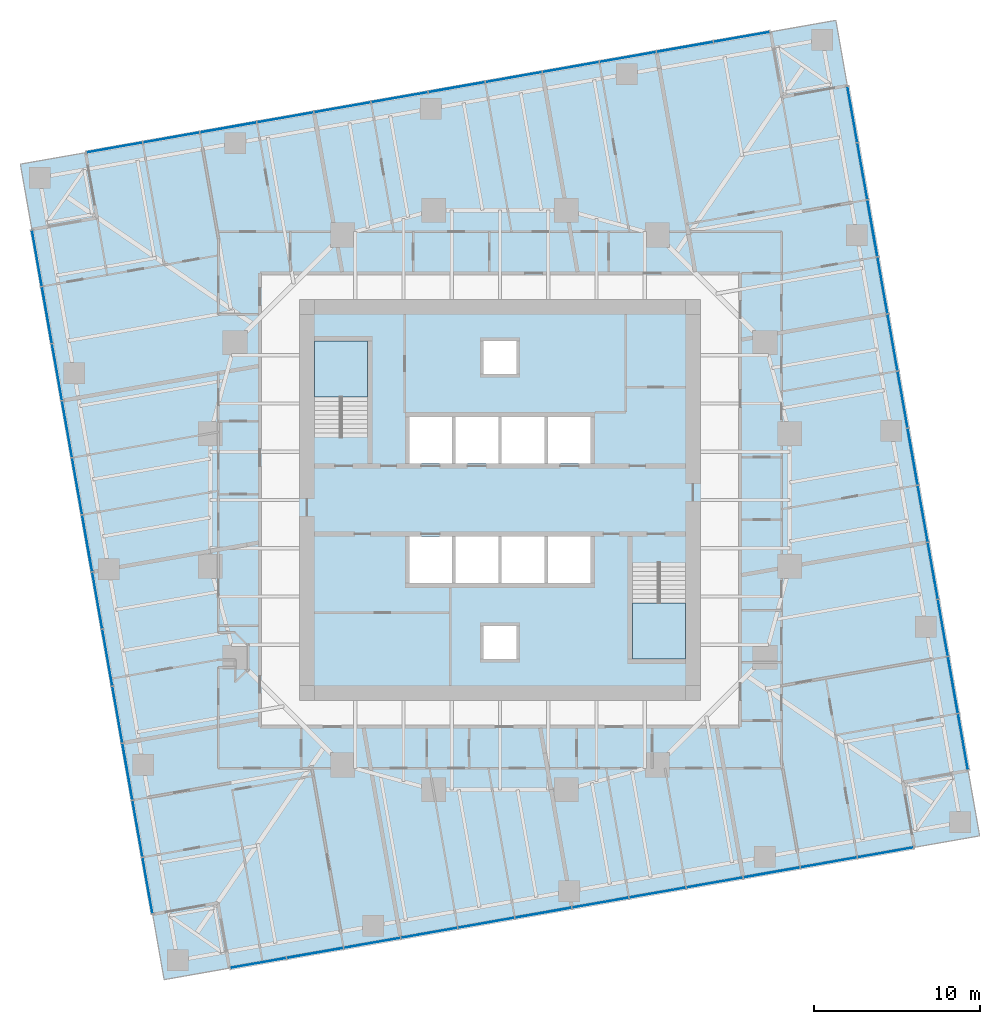
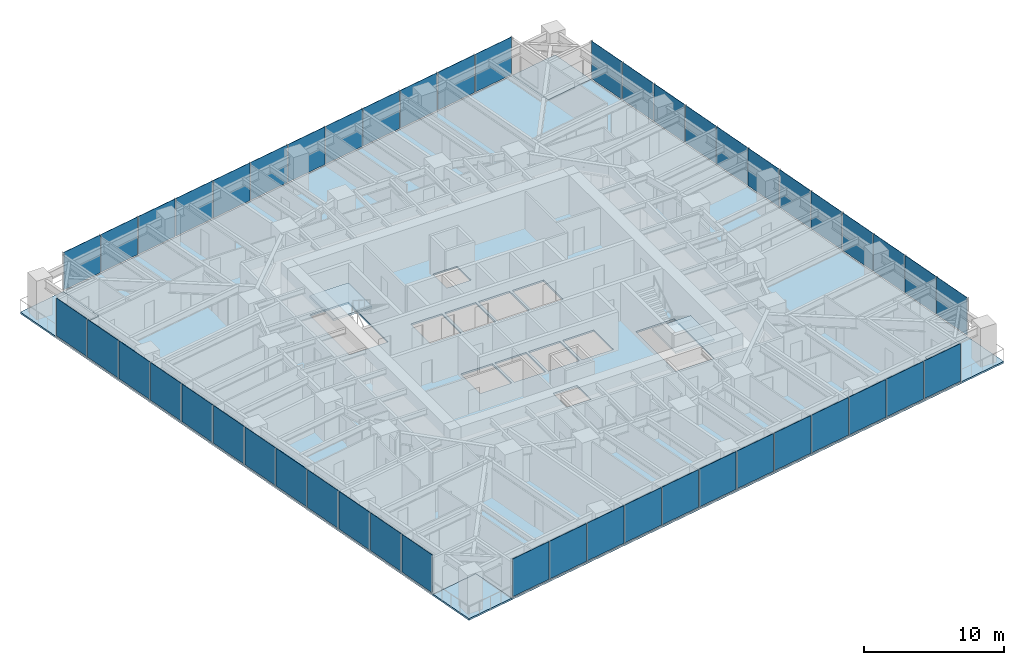
# One storey, part 7 of 14: 48 plates, 7 slabs, 6 elements without a shape of their own.
"""IFC4 building model written with IfcOpenShell, lengths in metres."""

import ifcopenshell
import ifcopenshell.guid

model = None  # the IFC model being written
_history = None  # IfcOwnerHistory: only IFC2X3 demands one
_inside = {}  # id of a spatial element -> (the spatial element, [elements in it])
_under = {}  # id of a project, library or spatial element -> (it, [spatial elements below it])
_declared = {}  # id of a project -> (the project, [libraries it declares])
_typed = {}  # id of a type object -> (the type object, [elements of that type])
_made_of = {}  # id of a material, layer set ... -> (it, [elements and type objects made of it])


def new_model(schema):
    """Start an empty IFC model of exactly this schema.

    Asked for "IFC4X3", IfcOpenShell would pick the latest addendum, in which some entities
    have other attributes; the version numbers below select the first issue.
    IFC2X3 requires an IfcOwnerHistory on every rooted entity: one is made here for all.
    """
    global model, _history
    if schema == "IFC4X3":
        model = ifcopenshell.file(schema_version=(4, 3, 0, 0))
    else:
        model = ifcopenshell.file(schema=schema)
    _inside.clear()
    _under.clear()
    _declared.clear()
    _typed.clear()
    _made_of.clear()
    _history = None
    if model.schema == "IFC2X3":
        org = make("IfcOrganization", Name="unknown")
        user = make(
            "IfcPersonAndOrganization",
            ThePerson=make("IfcPerson", FamilyName="unknown"),
            TheOrganization=org,
        )
        app = make(
            "IfcApplication",
            ApplicationDeveloper=org,
            Version="unknown",
            ApplicationFullName="unknown",
            ApplicationIdentifier="unknown",
        )
        _history = make(
            "IfcOwnerHistory",
            OwningUser=user,
            OwningApplication=app,
            ChangeAction="ADDED",
            CreationDate=0,
        )
    return model


def make(cls, **values):
    """One entity of the class cls with the attributes given. An attribute that is None is left unset."""
    return model.create_entity(
        cls, **{name: value for name, value in values.items() if value is not None}
    )


def rooted(cls, **values):
    """An entity with a GlobalId (a new one), such as an element, a storey or a relation."""
    return make(cls, GlobalId=ifcopenshell.guid.new(), OwnerHistory=_history, **values)


def si_unit(unit_type, name, prefix=None):
    """IfcSIUnit, for example si_unit("LENGTHUNIT", "METRE", prefix="MILLI")."""
    return make("IfcSIUnit", UnitType=unit_type, Prefix=prefix, Name=name)


def assignment(units):
    """IfcUnitAssignment: the units of a project."""
    return None if units is None else make("IfcUnitAssignment", Units=units)


def point(xyz):
    """IfcCartesianPoint."""
    return None if xyz is None else make("IfcCartesianPoint", Coordinates=xyz)


def direction(xyz):
    """IfcDirection."""
    return None if xyz is None else make("IfcDirection", DirectionRatios=xyz)


def frame(location, z_axis=None, x_axis=None):
    """IfcAxis2Placement3D, a coordinate frame: its origin and axes. An axis left out is left unset."""
    return make(
        "IfcAxis2Placement3D",
        Location=point(location),
        Axis=direction(z_axis),
        RefDirection=direction(x_axis),
    )


def frame_2d(location, x_axis=None):
    """IfcAxis2Placement2D, a coordinate frame in the plane: its origin and x axis."""
    return make(
        "IfcAxis2Placement2D", Location=point(location), RefDirection=direction(x_axis)
    )


def origin():
    """The frame at (0, 0, 0) with its axes left unset."""
    return frame((0.0, 0.0, 0.0))


def origin_2d():
    """The frame at (0, 0) in the plane with its x axis left unset."""
    return frame_2d((0.0, 0.0))


def place(relative_to, where):
    """IfcLocalPlacement: puts the frame where relative to a parent placement (None: the world)."""
    return make(
        "IfcLocalPlacement", PlacementRelTo=relative_to, RelativePlacement=where
    )


def context(
    kind, dimensions, precision=None, world=None, true_north=None, identifier=None
):
    """IfcGeometricRepresentationContext, for example the 3D "Model" context."""
    return make(
        "IfcGeometricRepresentationContext",
        ContextIdentifier=identifier,
        ContextType=kind,
        CoordinateSpaceDimension=dimensions,
        Precision=precision,
        WorldCoordinateSystem=world,
        TrueNorth=true_north,
    )


def subcontext(parent, identifier, kind, view, scale=None):
    """IfcGeometricRepresentationSubContext, for example "Body" below "Model"."""
    return make(
        "IfcGeometricRepresentationSubContext",
        ContextIdentifier=identifier,
        ContextType=kind,
        ParentContext=parent,
        TargetScale=scale,
        TargetView=view,
    )


def project(units=None, contexts=None):
    """IfcProject with its units and contexts."""
    return rooted(
        "IfcProject",
        Name="project",
        RepresentationContexts=contexts,
        UnitsInContext=assignment(units),
    )


def spatial(cls, under=None, at=None, **own):
    """A site, building, storey or space (cls), placed at a placement, below another one or the project."""
    s = rooted(cls, ObjectPlacement=at, **own)
    if under is not None:
        _under.setdefault(under.id(), (under, []))[1].append(s)
    return s


def polyline(points):
    """IfcPolyline through the points."""
    return make("IfcPolyline", Points=[point(p) for p in points])


def profile(cls, at=None, kind="AREA", **sizes):
    """A parametric profile (cls). Its sizes go by their IFC names, for example OverallWidth=200.0."""
    return make(cls, ProfileType=kind, Position=at, **sizes)


def rectangle(**sizes):
    """IfcRectangleProfileDef."""
    return profile("IfcRectangleProfileDef", **sizes)


def outline(outer, holes=None, kind="AREA"):
    """IfcArbitraryClosedProfileDef: a profile drawn as a closed curve; with holes, ...WithVoids."""
    if holes is None:
        return make("IfcArbitraryClosedProfileDef", ProfileType=kind, OuterCurve=outer)
    return make(
        "IfcArbitraryProfileDefWithVoids",
        ProfileType=kind,
        OuterCurve=outer,
        InnerCurves=holes,
    )


def extrude(swept, where, along, depth):
    """IfcExtrudedAreaSolid: the profile swept, set in the frame where, extruded along a direction by depth."""
    return make(
        "IfcExtrudedAreaSolid",
        SweptArea=swept,
        Position=where,
        ExtrudedDirection=direction(along),
        Depth=depth,
    )


def shape(context_of_items, identifier, shape_type, items):
    """IfcShapeRepresentation: the items that make up one representation, for example the "Body"."""
    return make(
        "IfcShapeRepresentation",
        ContextOfItems=context_of_items,
        RepresentationIdentifier=identifier,
        RepresentationType=shape_type,
        Items=items,
    )


def material(Name=None, Category=None):
    """IfcMaterial."""
    return make("IfcMaterial", Name=Name, Category=Category)


def layer(
    of_material, thickness, ventilated=None, Name=None, Category=None, Priority=None
):
    """IfcMaterialLayer: one layer of a wall or slab, of a material (None: an air gap)."""
    return make(
        "IfcMaterialLayer",
        Material=of_material,
        LayerThickness=thickness,
        IsVentilated=ventilated,
        Name=Name,
        Category=Category,
        Priority=Priority,
    )


def layer_set(layers, Name=None):
    """IfcMaterialLayerSet."""
    return make("IfcMaterialLayerSet", MaterialLayers=layers, LayerSetName=Name)


def made_of(thing, what):
    """Note that an element or type object is made of a material, layer set ...; save() writes the relation."""
    if what is not None:
        _made_of.setdefault(what.id(), (what, []))[1].append(thing)
    return thing


def type_object(cls, material=None, **own):
    """A type object (cls), such as IfcWallType, which elements share."""
    return made_of(rooted(cls, **own), material)


def element(
    cls,
    number,
    at=None,
    inside=None,
    cuts=None,
    type_object=None,
    material=None,
    context=None,
    identifier="Body",
    shape_type=None,
    held_by="IfcProductDefinitionShape",
    body=None,
    shapes=None,
    **own,
):
    """One element of the class cls, such as IfcWall. Its Tag is "e" and its number.

    at: its placement. inside: the storey or other place that contains it. cuts: it is an
    opening in that element (IfcRelVoidsElement). A single representation is given by context,
    identifier, shape_type and body (its items); several are given by shapes. held_by: the class
    of the entity that holds the representations. save() writes the other relations.
    """
    e = rooted(cls, Tag="e%d" % number, ObjectPlacement=at, **own)
    if body is not None:
        shapes = [shape(context, identifier, shape_type, body)]
    if shapes is not None:
        e.Representation = make(held_by, Representations=shapes)
    if inside is not None:
        _inside.setdefault(inside.id(), (inside, []))[1].append(e)
    if cuts is not None:
        rooted(
            "IfcRelVoidsElement", RelatingBuildingElement=cuts, RelatedOpeningElement=e
        )
    if type_object is not None:
        _typed.setdefault(type_object.id(), (type_object, []))[1].append(e)
    return made_of(e, material)


def aggregate(whole, parts):
    """IfcRelAggregates: a whole, such as a stair, and the parts it consists of."""
    return rooted("IfcRelAggregates", RelatingObject=whole, RelatedObjects=parts)


def save(model, path):
    """Write the relations noted so far, then the file.

    IfcRelAggregates (storeys below a building ...), IfcRelContainedInSpatialStructure (elements
    in a storey), IfcRelDefinesByType, IfcRelAssociatesMaterial and IfcRelDeclares: one each for
    every whole, place, type object, material and project.
    """
    for whole, parts in _under.values():
        aggregate(whole, parts)
    for where, things in _inside.values():
        rooted(
            "IfcRelContainedInSpatialStructure",
            RelatedElements=things,
            RelatingStructure=where,
        )
    for kind, things in _typed.values():
        rooted("IfcRelDefinesByType", RelatedObjects=things, RelatingType=kind)
    for what, things in _made_of.values():
        rooted("IfcRelAssociatesMaterial", RelatedObjects=things, RelatingMaterial=what)
    for by, libraries in _declared.values():
        rooted("IfcRelDeclares", RelatingContext=by, RelatedDefinitions=libraries)
    model.write(path)


model = new_model("IFC4")

# Units and contexts
model_context = context("Model", 3, precision=1e-05, world=origin(), true_north=direction((0.0, 1.0)))
body_context = subcontext(model_context, "Body", "Model", "MODEL_VIEW")
ifc_project = project(units=[si_unit("LENGTHUNIT", "METRE"), si_unit("AREAUNIT", "SQUARE_METRE"), si_unit("VOLUMEUNIT", "CUBIC_METRE"), si_unit("PLANEANGLEUNIT", "RADIAN"), si_unit("MASSUNIT", "GRAM", prefix="KILO")], contexts=[model_context])

# Site, building, storey
site_placement = place(None, origin())
site = spatial("IfcSite", under=ifc_project, at=site_placement, CompositionType="ELEMENT")
building_placement = place(site_placement, origin())
building = spatial("IfcBuilding", under=site, at=building_placement, Name="Torsade Residences", CompositionType="ELEMENT")
storey_placement = place(building_placement, frame((0.0, 0.0, 89.60009765625)))
storey = spatial("IfcBuildingStorey", under=building, at=storey_placement, Name="L24", CompositionType="ELEMENT", Elevation=89.60009765625)

# Slab
ifc_material_1 = material(Name="Concrete 40 MPa", Category="concrete")
ifc_layer_1 = layer(ifc_material_1, 0.14990234375)
ifc_layer_set_1 = layer_set([ifc_layer_1], Name="Concrete 40 MPa")
slab_type_1 = type_object("IfcSlabType", Name="COMPOSITE FLOOR SLAB 150", PredefinedType="FLOOR", material=ifc_layer_set_1)
slab_1_placement = place(storey_placement, frame((0.0, 0.0, -0.150146484375)))
element("IfcSlab", 1, at=slab_1_placement, inside=storey, type_object=slab_type_1, Name="Floor slab L24", PredefinedType="FLOOR", context=body_context, shape_type="SweptSolid", body=[
    extrude(outline(polyline([(23.66015625, 1.733154296875), (65.022216796875, 9.0263671875), (64.32763671875, 12.965576171875), (68.266845703125, 13.66015625), (60.9736328125, 55.022216796875), (57.034423828125, 54.32763671875), (56.33984375, 58.266845703125), (14.977783203125, 50.9736328125), (15.67236328125, 47.034423828125), (11.733154296875, 46.33984375), (19.0263671875, 4.977783203125), (22.965576171875, 5.67236328125), (23.66015625, 1.733154296875)]), holes=[polyline([(51.199951171875, 20.39990234375), (51.199951171875, 26.1201171875), (48.0, 26.1201171875), (48.0, 20.39990234375), (51.199951171875, 20.39990234375)]), polyline([(45.5, 27.800048828125), (42.89990234375, 27.800048828125), (42.89990234375, 25.0), (45.5, 25.0), (45.5, 27.800048828125)]), polyline([(45.5, 32.199951171875), (45.5, 35.0), (42.89990234375, 35.0), (42.89990234375, 32.199951171875), (45.5, 32.199951171875)]), polyline([(42.699951171875, 25.0), (42.699951171875, 27.800048828125), (40.10009765625, 27.800048828125), (40.10009765625, 25.0), (42.699951171875, 25.0)]), polyline([(42.699951171875, 32.199951171875), (42.699951171875, 35.0), (40.10009765625, 35.0), (40.10009765625, 32.199951171875), (42.699951171875, 32.199951171875)]), polyline([(41.0, 22.39990234375), (39.0, 22.39990234375), (39.0, 20.39990234375), (41.0, 20.39990234375), (41.0, 22.39990234375)]), polyline([(41.0, 37.60009765625), (41.0, 39.60009765625), (39.0, 39.60009765625), (39.0, 37.60009765625), (41.0, 37.60009765625)]), polyline([(39.89990234375, 25.0), (39.89990234375, 27.800048828125), (37.300048828125, 27.800048828125), (37.300048828125, 25.0), (39.89990234375, 25.0)]), polyline([(39.89990234375, 35.0), (37.300048828125, 35.0), (37.300048828125, 32.199951171875), (39.89990234375, 32.199951171875), (39.89990234375, 35.0)]), polyline([(37.10009765625, 27.800048828125), (34.5, 27.800048828125), (34.5, 25.0), (37.10009765625, 25.0), (37.10009765625, 27.800048828125)]), polyline([(37.10009765625, 32.199951171875), (37.10009765625, 35.0), (34.5, 35.0), (34.5, 32.199951171875), (37.10009765625, 32.199951171875)]), polyline([(32.0, 33.8798828125), (32.0, 39.60009765625), (28.800048828125, 39.60009765625), (28.800048828125, 33.8798828125), (32.0, 33.8798828125)])]), origin(), (0.0, 0.0, 1.0), 0.150146484375),
])

# Curtain wall, plates
ifc_material_2 = material(Name="Aluminium and glass", Category="aluminium")
curtain_wall_type = type_object("IfcCurtainWallType", Name="FRITTED GLASS CURTAIN WALL LOW ZONE", PredefinedType="NOTDEFINED", material=ifc_material_2)
curtain_wall_1_placement = place(storey_placement, origin())
curtain_wall_1 = element("IfcCurtainWall", 2, at=curtain_wall_1_placement, inside=storey, type_object=curtain_wall_type, Name="Curtain wall L24 face 1", PredefinedType="NOTDEFINED")
ifc_material_3 = material(Name="Laminated glass", Category="glass")
ifc_layer_2 = layer(ifc_material_3, 0.031982421875)
ifc_layer_set_2 = layer_set([ifc_layer_2], Name="Laminated glass")
plate_type_1 = type_object("IfcPlateType", Name="FRITTED GLASS PANEL", PredefinedType="CURTAIN_PANEL", material=ifc_layer_set_2)
plate_1_placement = place(storey_placement, frame((25.399658203125, 2.039794921875, 0.10009765625), z_axis=(0.0, 0.0, 1.0), x_axis=(0.984807750372, 0.173648192638, 0.0)))
plate_1 = element("IfcPlate", 3, at=plate_1_placement, type_object=plate_type_1, Name="Panel 1", PredefinedType="CURTAIN_PANEL", context=body_context, shape_type="SweptSolid", body=[
    extrude(rectangle(XDim=3.402587890625, YDim=0.031982421875, at=origin_2d()), origin(), (0.0, 0.0, 1.0), 3.300048828125),
])
plate_2_placement = place(storey_placement, frame((32.27734375, 3.252685546875, 0.10009765625), z_axis=(0.0, 0.0, 1.0), x_axis=(0.984807750372, 0.173648192638, 0.0)))
plate_2 = element("IfcPlate", 4, at=plate_2_placement, type_object=plate_type_1, Name="Panel 3", PredefinedType="CURTAIN_PANEL", context=body_context, shape_type="SweptSolid", body=[
    extrude(rectangle(XDim=3.43505859375, YDim=0.031982421875, at=origin_2d()), origin(), (0.0, 0.0, 1.0), 3.300048828125),
])
plate_3_placement = place(storey_placement, frame((35.72412109375, 3.8603515625, 0.10009765625), z_axis=(0.0, 0.0, 1.0), x_axis=(0.984807750372, 0.173648192638, 0.0)))
plate_3 = element("IfcPlate", 5, at=plate_3_placement, type_object=plate_type_1, Name="Panel 4", PredefinedType="CURTAIN_PANEL", context=body_context, shape_type="SweptSolid", body=[
    extrude(rectangle(XDim=3.43505859375, YDim=0.031982421875, at=origin_2d()), origin(), (0.0, 0.0, 1.0), 3.300048828125),
])
plate_4_placement = place(storey_placement, frame((39.1708984375, 4.46826171875, 0.10009765625), z_axis=(0.0, 0.0, 1.0), x_axis=(0.984807750372, 0.173648192638, 0.0)))
plate_4 = element("IfcPlate", 6, at=plate_4_placement, type_object=plate_type_1, Name="Panel 5", PredefinedType="CURTAIN_PANEL", context=body_context, shape_type="SweptSolid", body=[
    extrude(rectangle(XDim=3.43505859375, YDim=0.031982421875, at=origin_2d()), origin(), (0.0, 0.0, 1.0), 3.300048828125),
])
plate_5_placement = place(storey_placement, frame((46.064697265625, 5.68359375, 0.10009765625), z_axis=(0.0, 0.0, 1.0), x_axis=(0.984807750372, 0.173648192638, 0.0)))
plate_5 = element("IfcPlate", 7, at=plate_5_placement, type_object=plate_type_1, Name="Panel 7", PredefinedType="CURTAIN_PANEL", context=body_context, shape_type="SweptSolid", body=[
    extrude(rectangle(XDim=3.43505859375, YDim=0.031982421875, at=origin_2d()), origin(), (0.0, 0.0, 1.0), 3.300048828125),
])
plate_6_placement = place(storey_placement, frame((49.511474609375, 6.29150390625, 0.10009765625), z_axis=(0.0, 0.0, 1.0), x_axis=(0.984807750372, 0.173648192638, 0.0)))
plate_6 = element("IfcPlate", 8, at=plate_6_placement, type_object=plate_type_1, Name="Panel 8", PredefinedType="CURTAIN_PANEL", context=body_context, shape_type="SweptSolid", body=[
    extrude(rectangle(XDim=3.43505859375, YDim=0.031982421875, at=origin_2d()), origin(), (0.0, 0.0, 1.0), 3.300048828125),
])
plate_7_placement = place(storey_placement, frame((52.958251953125, 6.899169921875, 0.10009765625), z_axis=(0.0, 0.0, 1.0), x_axis=(0.984807750372, 0.173648192638, 0.0)))
plate_7 = element("IfcPlate", 9, at=plate_7_placement, type_object=plate_type_1, Name="Panel 9", PredefinedType="CURTAIN_PANEL", context=body_context, shape_type="SweptSolid", body=[
    extrude(rectangle(XDim=3.43505859375, YDim=0.031982421875, at=origin_2d()), origin(), (0.0, 0.0, 1.0), 3.300048828125),
])
plate_8_placement = place(storey_placement, frame((59.851806640625, 8.11474609375, 0.10009765625), z_axis=(0.0, 0.0, 1.0), x_axis=(0.984807750372, 0.173648192638, 0.0)))
plate_8 = element("IfcPlate", 10, at=plate_8_placement, type_object=plate_type_1, Name="Panel 11", PredefinedType="CURTAIN_PANEL", context=body_context, shape_type="SweptSolid", body=[
    extrude(rectangle(XDim=3.43505859375, YDim=0.031982421875, at=origin_2d()), origin(), (0.0, 0.0, 1.0), 3.300048828125),
])
plate_9_placement = place(storey_placement, frame((63.28271484375, 8.7197265625, 0.10009765625), z_axis=(0.0, 0.0, 1.0), x_axis=(0.984807750372, 0.173648192638, 0.0)))
plate_9 = element("IfcPlate", 11, at=plate_9_placement, type_object=plate_type_1, Name="Panel 12", PredefinedType="CURTAIN_PANEL", context=body_context, shape_type="SweptSolid", body=[
    extrude(rectangle(XDim=3.402587890625, YDim=0.031982421875, at=origin_2d()), origin(), (0.0, 0.0, 1.0), 3.300048828125),
])

curtain_wall_2_placement = place(storey_placement, origin())
curtain_wall_2 = element("IfcCurtainWall", 12, at=curtain_wall_2_placement, inside=storey, type_object=curtain_wall_type, Name="Curtain wall L24 face 4", PredefinedType="NOTDEFINED")
plate_10_placement = place(storey_placement, frame((67.960205078125, 15.399658203125, 0.10009765625), z_axis=(0.0, 0.0, 1.0), x_axis=(-0.173648192638, 0.984807750372, 0.0)))
plate_10 = element("IfcPlate", 13, at=plate_10_placement, type_object=plate_type_1, Name="Panel 1", PredefinedType="CURTAIN_PANEL", context=body_context, shape_type="SweptSolid", body=[
    extrude(rectangle(XDim=3.402587890625, YDim=0.031982421875, at=origin_2d()), origin(), (0.0, 0.0, 1.0), 3.300048828125),
])
plate_11_placement = place(storey_placement, frame((66.747314453125, 22.27734375, 0.10009765625), z_axis=(0.0, 0.0, 1.0), x_axis=(-0.173648192638, 0.984807750372, 0.0)))
plate_11 = element("IfcPlate", 14, at=plate_11_placement, type_object=plate_type_1, Name="Panel 3", PredefinedType="CURTAIN_PANEL", context=body_context, shape_type="SweptSolid", body=[
    extrude(rectangle(XDim=3.43505859375, YDim=0.031982421875, at=origin_2d()), origin(), (0.0, 0.0, 1.0), 3.300048828125),
])
plate_12_placement = place(storey_placement, frame((66.1396484375, 25.72412109375, 0.10009765625), z_axis=(0.0, 0.0, 1.0), x_axis=(-0.173648192638, 0.984807750372, 0.0)))
plate_12 = element("IfcPlate", 15, at=plate_12_placement, type_object=plate_type_1, Name="Panel 4", PredefinedType="CURTAIN_PANEL", context=body_context, shape_type="SweptSolid", body=[
    extrude(rectangle(XDim=3.43505859375, YDim=0.031982421875, at=origin_2d()), origin(), (0.0, 0.0, 1.0), 3.300048828125),
])
plate_13_placement = place(storey_placement, frame((65.53173828125, 29.1708984375, 0.10009765625), z_axis=(0.0, 0.0, 1.0), x_axis=(-0.173648192638, 0.984807750372, 0.0)))
plate_13 = element("IfcPlate", 16, at=plate_13_placement, type_object=plate_type_1, Name="Panel 5", PredefinedType="CURTAIN_PANEL", context=body_context, shape_type="SweptSolid", body=[
    extrude(rectangle(XDim=3.43505859375, YDim=0.031982421875, at=origin_2d()), origin(), (0.0, 0.0, 1.0), 3.300048828125),
])
plate_14_placement = place(storey_placement, frame((64.31640625, 36.064697265625, 0.10009765625), z_axis=(0.0, 0.0, 1.0), x_axis=(-0.173648192638, 0.984807750372, 0.0)))
plate_14 = element("IfcPlate", 17, at=plate_14_placement, type_object=plate_type_1, Name="Panel 7", PredefinedType="CURTAIN_PANEL", context=body_context, shape_type="SweptSolid", body=[
    extrude(rectangle(XDim=3.43505859375, YDim=0.031982421875, at=origin_2d()), origin(), (0.0, 0.0, 1.0), 3.300048828125),
])
plate_15_placement = place(storey_placement, frame((63.70849609375, 39.511474609375, 0.10009765625), z_axis=(0.0, 0.0, 1.0), x_axis=(-0.173648192638, 0.984807750372, 0.0)))
plate_15 = element("IfcPlate", 18, at=plate_15_placement, type_object=plate_type_1, Name="Panel 8", PredefinedType="CURTAIN_PANEL", context=body_context, shape_type="SweptSolid", body=[
    extrude(rectangle(XDim=3.43505859375, YDim=0.031982421875, at=origin_2d()), origin(), (0.0, 0.0, 1.0), 3.300048828125),
])
plate_16_placement = place(storey_placement, frame((63.100830078125, 42.958251953125, 0.10009765625), z_axis=(0.0, 0.0, 1.0), x_axis=(-0.173648192638, 0.984807750372, 0.0)))
plate_16 = element("IfcPlate", 19, at=plate_16_placement, type_object=plate_type_1, Name="Panel 9", PredefinedType="CURTAIN_PANEL", context=body_context, shape_type="SweptSolid", body=[
    extrude(rectangle(XDim=3.43505859375, YDim=0.031982421875, at=origin_2d()), origin(), (0.0, 0.0, 1.0), 3.300048828125),
])
plate_17_placement = place(storey_placement, frame((61.88525390625, 49.851806640625, 0.10009765625), z_axis=(0.0, 0.0, 1.0), x_axis=(-0.173648192638, 0.984807750372, 0.0)))
plate_17 = element("IfcPlate", 20, at=plate_17_placement, type_object=plate_type_1, Name="Panel 11", PredefinedType="CURTAIN_PANEL", context=body_context, shape_type="SweptSolid", body=[
    extrude(rectangle(XDim=3.43505859375, YDim=0.031982421875, at=origin_2d()), origin(), (0.0, 0.0, 1.0), 3.300048828125),
])
plate_18_placement = place(storey_placement, frame((61.2802734375, 53.28271484375, 0.10009765625), z_axis=(0.0, 0.0, 1.0), x_axis=(-0.173648192638, 0.984807750372, 0.0)))
plate_18 = element("IfcPlate", 21, at=plate_18_placement, type_object=plate_type_1, Name="Panel 12", PredefinedType="CURTAIN_PANEL", context=body_context, shape_type="SweptSolid", body=[
    extrude(rectangle(XDim=3.402587890625, YDim=0.031982421875, at=origin_2d()), origin(), (0.0, 0.0, 1.0), 3.300048828125),
])

curtain_wall_3_placement = place(storey_placement, origin())
curtain_wall_3 = element("IfcCurtainWall", 22, at=curtain_wall_3_placement, inside=storey, type_object=curtain_wall_type, Name="Curtain wall L24 face 7", PredefinedType="NOTDEFINED")
plate_19_placement = place(storey_placement, frame((54.600341796875, 57.960205078125, 0.10009765625), z_axis=(0.0, 0.0, 1.0), x_axis=(-0.984807750372, -0.173648192638, 0.0)))
plate_19 = element("IfcPlate", 23, at=plate_19_placement, type_object=plate_type_1, Name="Panel 1", PredefinedType="CURTAIN_PANEL", context=body_context, shape_type="SweptSolid", body=[
    extrude(rectangle(XDim=3.402587890625, YDim=0.031982421875, at=origin_2d()), origin(), (0.0, 0.0, 1.0), 3.300048828125),
])
plate_20_placement = place(storey_placement, frame((47.72265625, 56.747314453125, 0.10009765625), z_axis=(0.0, 0.0, 1.0), x_axis=(-0.984807750372, -0.173648192638, 0.0)))
plate_20 = element("IfcPlate", 24, at=plate_20_placement, type_object=plate_type_1, Name="Panel 3", PredefinedType="CURTAIN_PANEL", context=body_context, shape_type="SweptSolid", body=[
    extrude(rectangle(XDim=3.43505859375, YDim=0.031982421875, at=origin_2d()), origin(), (0.0, 0.0, 1.0), 3.300048828125),
])
plate_21_placement = place(storey_placement, frame((44.27587890625, 56.1396484375, 0.10009765625), z_axis=(0.0, 0.0, 1.0), x_axis=(-0.984807750372, -0.173648192638, 0.0)))
plate_21 = element("IfcPlate", 25, at=plate_21_placement, type_object=plate_type_1, Name="Panel 4", PredefinedType="CURTAIN_PANEL", context=body_context, shape_type="SweptSolid", body=[
    extrude(rectangle(XDim=3.43505859375, YDim=0.031982421875, at=origin_2d()), origin(), (0.0, 0.0, 1.0), 3.300048828125),
])
plate_22_placement = place(storey_placement, frame((40.8291015625, 55.53173828125, 0.10009765625), z_axis=(0.0, 0.0, 1.0), x_axis=(-0.984807750372, -0.173648192638, 0.0)))
plate_22 = element("IfcPlate", 26, at=plate_22_placement, type_object=plate_type_1, Name="Panel 5", PredefinedType="CURTAIN_PANEL", context=body_context, shape_type="SweptSolid", body=[
    extrude(rectangle(XDim=3.43505859375, YDim=0.031982421875, at=origin_2d()), origin(), (0.0, 0.0, 1.0), 3.300048828125),
])
plate_23_placement = place(storey_placement, frame((33.935302734375, 54.31640625, 0.10009765625), z_axis=(0.0, 0.0, 1.0), x_axis=(-0.984807750372, -0.173648192638, 0.0)))
plate_23 = element("IfcPlate", 27, at=plate_23_placement, type_object=plate_type_1, Name="Panel 7", PredefinedType="CURTAIN_PANEL", context=body_context, shape_type="SweptSolid", body=[
    extrude(rectangle(XDim=3.43505859375, YDim=0.031982421875, at=origin_2d()), origin(), (0.0, 0.0, 1.0), 3.300048828125),
])
plate_24_placement = place(storey_placement, frame((30.488525390625, 53.70849609375, 0.10009765625), z_axis=(0.0, 0.0, 1.0), x_axis=(-0.984807750372, -0.173648192638, 0.0)))
plate_24 = element("IfcPlate", 28, at=plate_24_placement, type_object=plate_type_1, Name="Panel 8", PredefinedType="CURTAIN_PANEL", context=body_context, shape_type="SweptSolid", body=[
    extrude(rectangle(XDim=3.43505859375, YDim=0.031982421875, at=origin_2d()), origin(), (0.0, 0.0, 1.0), 3.300048828125),
])
plate_25_placement = place(storey_placement, frame((27.041748046875, 53.100830078125, 0.10009765625), z_axis=(0.0, 0.0, 1.0), x_axis=(-0.984807750372, -0.173648192638, 0.0)))
plate_25 = element("IfcPlate", 29, at=plate_25_placement, type_object=plate_type_1, Name="Panel 9", PredefinedType="CURTAIN_PANEL", context=body_context, shape_type="SweptSolid", body=[
    extrude(rectangle(XDim=3.43505859375, YDim=0.031982421875, at=origin_2d()), origin(), (0.0, 0.0, 1.0), 3.300048828125),
])
plate_26_placement = place(storey_placement, frame((20.148193359375, 51.88525390625, 0.10009765625), z_axis=(0.0, 0.0, 1.0), x_axis=(-0.984807750372, -0.173648192638, 0.0)))
plate_26 = element("IfcPlate", 30, at=plate_26_placement, type_object=plate_type_1, Name="Panel 11", PredefinedType="CURTAIN_PANEL", context=body_context, shape_type="SweptSolid", body=[
    extrude(rectangle(XDim=3.43505859375, YDim=0.031982421875, at=origin_2d()), origin(), (0.0, 0.0, 1.0), 3.300048828125),
])
plate_27_placement = place(storey_placement, frame((16.71728515625, 51.2802734375, 0.10009765625), z_axis=(0.0, 0.0, 1.0), x_axis=(-0.984807750372, -0.173648192638, 0.0)))
plate_27 = element("IfcPlate", 31, at=plate_27_placement, type_object=plate_type_1, Name="Panel 12", PredefinedType="CURTAIN_PANEL", context=body_context, shape_type="SweptSolid", body=[
    extrude(rectangle(XDim=3.402587890625, YDim=0.031982421875, at=origin_2d()), origin(), (0.0, 0.0, 1.0), 3.300048828125),
])

curtain_wall_4_placement = place(storey_placement, origin())
curtain_wall_4 = element("IfcCurtainWall", 32, at=curtain_wall_4_placement, inside=storey, type_object=curtain_wall_type, Name="Curtain wall L24 face 10", PredefinedType="NOTDEFINED")
plate_28_placement = place(storey_placement, frame((12.039794921875, 44.600341796875, 0.10009765625), z_axis=(0.0, 0.0, 1.0), x_axis=(0.173648192638, -0.984807750372, 0.0)))
plate_28 = element("IfcPlate", 33, at=plate_28_placement, type_object=plate_type_1, Name="Panel 1", PredefinedType="CURTAIN_PANEL", context=body_context, shape_type="SweptSolid", body=[
    extrude(rectangle(XDim=3.402587890625, YDim=0.031982421875, at=origin_2d()), origin(), (0.0, 0.0, 1.0), 3.300048828125),
])
plate_29_placement = place(storey_placement, frame((13.252685546875, 37.72265625, 0.10009765625), z_axis=(0.0, 0.0, 1.0), x_axis=(0.173648192638, -0.984807750372, 0.0)))
plate_29 = element("IfcPlate", 34, at=plate_29_placement, type_object=plate_type_1, Name="Panel 3", PredefinedType="CURTAIN_PANEL", context=body_context, shape_type="SweptSolid", body=[
    extrude(rectangle(XDim=3.43505859375, YDim=0.031982421875, at=origin_2d()), origin(), (0.0, 0.0, 1.0), 3.300048828125),
])
plate_30_placement = place(storey_placement, frame((13.8603515625, 34.27587890625, 0.10009765625), z_axis=(0.0, 0.0, 1.0), x_axis=(0.173648192638, -0.984807750372, 0.0)))
plate_30 = element("IfcPlate", 35, at=plate_30_placement, type_object=plate_type_1, Name="Panel 4", PredefinedType="CURTAIN_PANEL", context=body_context, shape_type="SweptSolid", body=[
    extrude(rectangle(XDim=3.43505859375, YDim=0.031982421875, at=origin_2d()), origin(), (0.0, 0.0, 1.0), 3.300048828125),
])
plate_31_placement = place(storey_placement, frame((14.46826171875, 30.8291015625, 0.10009765625), z_axis=(0.0, 0.0, 1.0), x_axis=(0.173648192638, -0.984807750372, 0.0)))
plate_31 = element("IfcPlate", 36, at=plate_31_placement, type_object=plate_type_1, Name="Panel 5", PredefinedType="CURTAIN_PANEL", context=body_context, shape_type="SweptSolid", body=[
    extrude(rectangle(XDim=3.43505859375, YDim=0.031982421875, at=origin_2d()), origin(), (0.0, 0.0, 1.0), 3.300048828125),
])
plate_32_placement = place(storey_placement, frame((15.68359375, 23.935302734375, 0.10009765625), z_axis=(0.0, 0.0, 1.0), x_axis=(0.173648192638, -0.984807750372, 0.0)))
plate_32 = element("IfcPlate", 37, at=plate_32_placement, type_object=plate_type_1, Name="Panel 7", PredefinedType="CURTAIN_PANEL", context=body_context, shape_type="SweptSolid", body=[
    extrude(rectangle(XDim=3.43505859375, YDim=0.031982421875, at=origin_2d()), origin(), (0.0, 0.0, 1.0), 3.300048828125),
])
plate_33_placement = place(storey_placement, frame((16.29150390625, 20.488525390625, 0.10009765625), z_axis=(0.0, 0.0, 1.0), x_axis=(0.173648192638, -0.984807750372, 0.0)))
plate_33 = element("IfcPlate", 38, at=plate_33_placement, type_object=plate_type_1, Name="Panel 8", PredefinedType="CURTAIN_PANEL", context=body_context, shape_type="SweptSolid", body=[
    extrude(rectangle(XDim=3.43505859375, YDim=0.031982421875, at=origin_2d()), origin(), (0.0, 0.0, 1.0), 3.300048828125),
])
plate_34_placement = place(storey_placement, frame((16.899169921875, 17.041748046875, 0.10009765625), z_axis=(0.0, 0.0, 1.0), x_axis=(0.173648192638, -0.984807750372, 0.0)))
plate_34 = element("IfcPlate", 39, at=plate_34_placement, type_object=plate_type_1, Name="Panel 9", PredefinedType="CURTAIN_PANEL", context=body_context, shape_type="SweptSolid", body=[
    extrude(rectangle(XDim=3.43505859375, YDim=0.031982421875, at=origin_2d()), origin(), (0.0, 0.0, 1.0), 3.300048828125),
])
plate_35_placement = place(storey_placement, frame((18.11474609375, 10.148193359375, 0.10009765625), z_axis=(0.0, 0.0, 1.0), x_axis=(0.173648192638, -0.984807750372, 0.0)))
plate_35 = element("IfcPlate", 40, at=plate_35_placement, type_object=plate_type_1, Name="Panel 11", PredefinedType="CURTAIN_PANEL", context=body_context, shape_type="SweptSolid", body=[
    extrude(rectangle(XDim=3.43505859375, YDim=0.031982421875, at=origin_2d()), origin(), (0.0, 0.0, 1.0), 3.300048828125),
])
plate_36_placement = place(storey_placement, frame((18.7197265625, 6.71728515625, 0.10009765625), z_axis=(0.0, 0.0, 1.0), x_axis=(0.173648192638, -0.984807750372, 0.0)))
plate_36 = element("IfcPlate", 41, at=plate_36_placement, type_object=plate_type_1, Name="Panel 12", PredefinedType="CURTAIN_PANEL", context=body_context, shape_type="SweptSolid", body=[
    extrude(rectangle(XDim=3.402587890625, YDim=0.031982421875, at=origin_2d()), origin(), (0.0, 0.0, 1.0), 3.300048828125),
])

# Plate
ifc_material_4 = material(Name="Laminated glass", Category="glass")
ifc_layer_3 = layer(ifc_material_4, 0.0400390625)
ifc_layer_set_3 = layer_set([ifc_layer_3], Name="Laminated glass")
plate_type_2 = type_object("IfcPlateType", Name="OPERABLE VENT PANEL", PredefinedType="CURTAIN_PANEL", material=ifc_layer_set_3)
plate_37_placement = place(storey_placement, frame((28.83056640625, 2.644775390625, 0.10009765625), z_axis=(0.0, 0.0, 1.0), x_axis=(0.984807750372, 0.173648192638, 0.0)))
plate_37 = element("IfcPlate", 42, at=plate_37_placement, type_object=plate_type_2, Name="Panel 2", PredefinedType="CURTAIN_PANEL", context=body_context, shape_type="SweptSolid", body=[
    extrude(rectangle(XDim=3.43505859375, YDim=0.0400390625, at=origin_2d()), origin(), (0.0, 0.0, 1.0), 3.300048828125),
])

plate_38_placement = place(storey_placement, frame((42.61767578125, 5.075927734375, 0.10009765625), z_axis=(0.0, 0.0, 1.0), x_axis=(0.984807750372, 0.173648192638, 0.0)))
plate_38 = element("IfcPlate", 43, at=plate_38_placement, type_object=plate_type_2, Name="Panel 6", PredefinedType="CURTAIN_PANEL", context=body_context, shape_type="SweptSolid", body=[
    extrude(rectangle(XDim=3.43505859375, YDim=0.0400390625, at=origin_2d()), origin(), (0.0, 0.0, 1.0), 3.300048828125),
])

plate_39_placement = place(storey_placement, frame((56.405029296875, 7.507080078125, 0.10009765625), z_axis=(0.0, 0.0, 1.0), x_axis=(0.984807750372, 0.173648192638, 0.0)))
plate_39 = element("IfcPlate", 44, at=plate_39_placement, type_object=plate_type_2, Name="Panel 10", PredefinedType="CURTAIN_PANEL", context=body_context, shape_type="SweptSolid", body=[
    extrude(rectangle(XDim=3.43505859375, YDim=0.0400390625, at=origin_2d()), origin(), (0.0, 0.0, 1.0), 3.300048828125),
])

aggregate(curtain_wall_1, [plate_1, plate_37, plate_2, plate_3, plate_4, plate_38, plate_5, plate_6, plate_7, plate_39, plate_8, plate_9])

plate_40_placement = place(storey_placement, frame((67.355224609375, 18.83056640625, 0.10009765625), z_axis=(0.0, 0.0, 1.0), x_axis=(-0.173648192638, 0.984807750372, 0.0)))
plate_40 = element("IfcPlate", 45, at=plate_40_placement, type_object=plate_type_2, Name="Panel 2", PredefinedType="CURTAIN_PANEL", context=body_context, shape_type="SweptSolid", body=[
    extrude(rectangle(XDim=3.43505859375, YDim=0.0400390625, at=origin_2d()), origin(), (0.0, 0.0, 1.0), 3.300048828125),
])

plate_41_placement = place(storey_placement, frame((64.924072265625, 32.61767578125, 0.10009765625), z_axis=(0.0, 0.0, 1.0), x_axis=(-0.173648192638, 0.984807750372, 0.0)))
plate_41 = element("IfcPlate", 46, at=plate_41_placement, type_object=plate_type_2, Name="Panel 6", PredefinedType="CURTAIN_PANEL", context=body_context, shape_type="SweptSolid", body=[
    extrude(rectangle(XDim=3.43505859375, YDim=0.0400390625, at=origin_2d()), origin(), (0.0, 0.0, 1.0), 3.300048828125),
])

plate_42_placement = place(storey_placement, frame((62.492919921875, 46.405029296875, 0.10009765625), z_axis=(0.0, 0.0, 1.0), x_axis=(-0.173648192638, 0.984807750372, 0.0)))
plate_42 = element("IfcPlate", 47, at=plate_42_placement, type_object=plate_type_2, Name="Panel 10", PredefinedType="CURTAIN_PANEL", context=body_context, shape_type="SweptSolid", body=[
    extrude(rectangle(XDim=3.43505859375, YDim=0.0400390625, at=origin_2d()), origin(), (0.0, 0.0, 1.0), 3.300048828125),
])

aggregate(curtain_wall_2, [plate_10, plate_40, plate_11, plate_12, plate_13, plate_41, plate_14, plate_15, plate_16, plate_42, plate_17, plate_18])

plate_43_placement = place(storey_placement, frame((51.16943359375, 57.355224609375, 0.10009765625), z_axis=(0.0, 0.0, 1.0), x_axis=(-0.984807750372, -0.173648192638, 0.0)))
plate_43 = element("IfcPlate", 48, at=plate_43_placement, type_object=plate_type_2, Name="Panel 2", PredefinedType="CURTAIN_PANEL", context=body_context, shape_type="SweptSolid", body=[
    extrude(rectangle(XDim=3.43505859375, YDim=0.0400390625, at=origin_2d()), origin(), (0.0, 0.0, 1.0), 3.300048828125),
])

plate_44_placement = place(storey_placement, frame((37.38232421875, 54.924072265625, 0.10009765625), z_axis=(0.0, 0.0, 1.0), x_axis=(-0.984807750372, -0.173648192638, 0.0)))
plate_44 = element("IfcPlate", 49, at=plate_44_placement, type_object=plate_type_2, Name="Panel 6", PredefinedType="CURTAIN_PANEL", context=body_context, shape_type="SweptSolid", body=[
    extrude(rectangle(XDim=3.43505859375, YDim=0.0400390625, at=origin_2d()), origin(), (0.0, 0.0, 1.0), 3.300048828125),
])

plate_45_placement = place(storey_placement, frame((23.594970703125, 52.492919921875, 0.10009765625), z_axis=(0.0, 0.0, 1.0), x_axis=(-0.984807750372, -0.173648192638, 0.0)))
plate_45 = element("IfcPlate", 50, at=plate_45_placement, type_object=plate_type_2, Name="Panel 10", PredefinedType="CURTAIN_PANEL", context=body_context, shape_type="SweptSolid", body=[
    extrude(rectangle(XDim=3.43505859375, YDim=0.0400390625, at=origin_2d()), origin(), (0.0, 0.0, 1.0), 3.300048828125),
])

aggregate(curtain_wall_3, [plate_19, plate_43, plate_20, plate_21, plate_22, plate_44, plate_23, plate_24, plate_25, plate_45, plate_26, plate_27])

plate_46_placement = place(storey_placement, frame((12.644775390625, 41.16943359375, 0.10009765625), z_axis=(0.0, 0.0, 1.0), x_axis=(0.173648192638, -0.984807750372, 0.0)))
plate_46 = element("IfcPlate", 51, at=plate_46_placement, type_object=plate_type_2, Name="Panel 2", PredefinedType="CURTAIN_PANEL", context=body_context, shape_type="SweptSolid", body=[
    extrude(rectangle(XDim=3.43505859375, YDim=0.0400390625, at=origin_2d()), origin(), (0.0, 0.0, 1.0), 3.300048828125),
])

plate_47_placement = place(storey_placement, frame((15.075927734375, 27.38232421875, 0.10009765625), z_axis=(0.0, 0.0, 1.0), x_axis=(0.173648192638, -0.984807750372, 0.0)))
plate_47 = element("IfcPlate", 52, at=plate_47_placement, type_object=plate_type_2, Name="Panel 6", PredefinedType="CURTAIN_PANEL", context=body_context, shape_type="SweptSolid", body=[
    extrude(rectangle(XDim=3.43505859375, YDim=0.0400390625, at=origin_2d()), origin(), (0.0, 0.0, 1.0), 3.300048828125),
])

plate_48_placement = place(storey_placement, frame((17.507080078125, 13.594970703125, 0.10009765625), z_axis=(0.0, 0.0, 1.0), x_axis=(0.173648192638, -0.984807750372, 0.0)))
plate_48 = element("IfcPlate", 53, at=plate_48_placement, type_object=plate_type_2, Name="Panel 10", PredefinedType="CURTAIN_PANEL", context=body_context, shape_type="SweptSolid", body=[
    extrude(rectangle(XDim=3.43505859375, YDim=0.0400390625, at=origin_2d()), origin(), (0.0, 0.0, 1.0), 3.300048828125),
])

aggregate(curtain_wall_4, [plate_28, plate_46, plate_29, plate_30, plate_31, plate_47, plate_32, plate_33, plate_34, plate_48, plate_35, plate_36])

# Stair, slab
ifc_material_5 = material(Name="Precast concrete 40 MPa", Category="concrete")
stair_type = type_object("IfcStairType", Name="HALF-TURN FIRE STAIR 1500x3400", PredefinedType="HALF_TURN_STAIR", material=ifc_material_5)
stair_1_placement = place(storey_placement, origin())
stair_1 = element("IfcStair", 54, at=stair_1_placement, inside=storey, type_object=stair_type, Name="Stair ST1 L24", PredefinedType="HALF_TURN_STAIR")
ifc_material_6 = material(Name="Precast concrete 40 MPa", Category="concrete")
ifc_layer_4 = layer(ifc_material_6, 0.179931640625)
ifc_layer_set_4 = layer_set([ifc_layer_4], Name="Precast concrete 40 MPa")
slab_type_2 = type_object("IfcSlabType", Name="PRECAST STAIR LANDING 180", PredefinedType="LANDING", material=ifc_layer_set_4)
slab_2_placement = place(storey_placement, frame((0.0, 0.0, 1.52001953125)))
slab_2 = element("IfcSlab", 55, at=slab_2_placement, type_object=slab_type_2, Name="ST1 landing 1", PredefinedType="LANDING", context=body_context, shape_type="SweptSolid", body=[
    extrude(outline(polyline([(28.800048828125, 36.2099609375), (32.0, 36.2099609375), (32.0, 39.60009765625), (28.800048828125, 39.60009765625), (28.800048828125, 36.2099609375)])), origin(), (0.0, 0.0, 1.0), 0.179931640625),
])
aggregate(stair_1, [slab_2])

stair_2_placement = place(storey_placement, origin())
stair_2 = element("IfcStair", 56, at=stair_2_placement, inside=storey, type_object=stair_type, Name="Stair ST2 L24", PredefinedType="HALF_TURN_STAIR")
slab_3_placement = place(storey_placement, frame((0.0, 0.0, 1.52001953125)))
slab_3 = element("IfcSlab", 57, at=slab_3_placement, type_object=slab_type_2, Name="ST2 landing 1", PredefinedType="LANDING", context=body_context, shape_type="SweptSolid", body=[
    extrude(outline(polyline([(48.0, 20.39990234375), (51.199951171875, 20.39990234375), (51.199951171875, 23.7900390625), (48.0, 23.7900390625), (48.0, 20.39990234375)])), origin(), (0.0, 0.0, 1.0), 0.179931640625),
])
aggregate(stair_2, [slab_3])

# Slabs
ifc_material_7 = material(Name="Concrete 40 MPa", Category="concrete")
ifc_layer_5 = layer(ifc_material_7, 0.14990234375)
ifc_layer_set_5 = layer_set([ifc_layer_5], Name="Concrete 40 MPa")
slab_type_3 = type_object("IfcSlabType", Name="TERRACE SLAB 150", PredefinedType="FLOOR", material=ifc_layer_set_5)
slab_4_placement = place(storey_placement, frame((0.0, 0.0, -0.150146484375)))
element("IfcSlab", 58, at=slab_4_placement, inside=storey, type_object=slab_type_3, Name="Corner terrace slab SE L24", PredefinedType="FLOOR", context=body_context, shape_type="SweptSolid", body=[
    extrude(outline(polyline([(65.022216796875, 9.0263671875), (68.96142578125, 9.720947265625), (68.266845703125, 13.66015625), (64.32763671875, 12.965576171875), (65.022216796875, 9.0263671875)])), origin(), (0.0, 0.0, 1.0), 0.150146484375),
])
slab_5_placement = place(storey_placement, frame((0.0, 0.0, -0.150146484375)))
element("IfcSlab", 59, at=slab_5_placement, inside=storey, type_object=slab_type_3, Name="Corner terrace slab NE L24", PredefinedType="FLOOR", context=body_context, shape_type="SweptSolid", body=[
    extrude(outline(polyline([(57.034423828125, 54.32763671875), (60.9736328125, 55.022216796875), (60.279052734375, 58.96142578125), (56.33984375, 58.266845703125), (57.034423828125, 54.32763671875)])), origin(), (0.0, 0.0, 1.0), 0.150146484375),
])
slab_6_placement = place(storey_placement, frame((0.0, 0.0, -0.150146484375)))
element("IfcSlab", 60, at=slab_6_placement, inside=storey, type_object=slab_type_3, Name="Corner terrace slab NW L24", PredefinedType="FLOOR", context=body_context, shape_type="SweptSolid", body=[
    extrude(outline(polyline([(11.733154296875, 46.33984375), (15.67236328125, 47.034423828125), (14.977783203125, 50.9736328125), (11.03857421875, 50.279052734375), (11.733154296875, 46.33984375)])), origin(), (0.0, 0.0, 1.0), 0.150146484375),
])
slab_7_placement = place(storey_placement, frame((0.0, 0.0, -0.150146484375)))
element("IfcSlab", 61, at=slab_7_placement, inside=storey, type_object=slab_type_3, Name="Corner terrace slab SW L24", PredefinedType="FLOOR", context=body_context, shape_type="SweptSolid", body=[
    extrude(outline(polyline([(19.720947265625, 1.03857421875), (23.66015625, 1.733154296875), (22.965576171875, 5.67236328125), (19.0263671875, 4.977783203125), (19.720947265625, 1.03857421875)])), origin(), (0.0, 0.0, 1.0), 0.150146484375),
])

save(model, "model.ifc")
